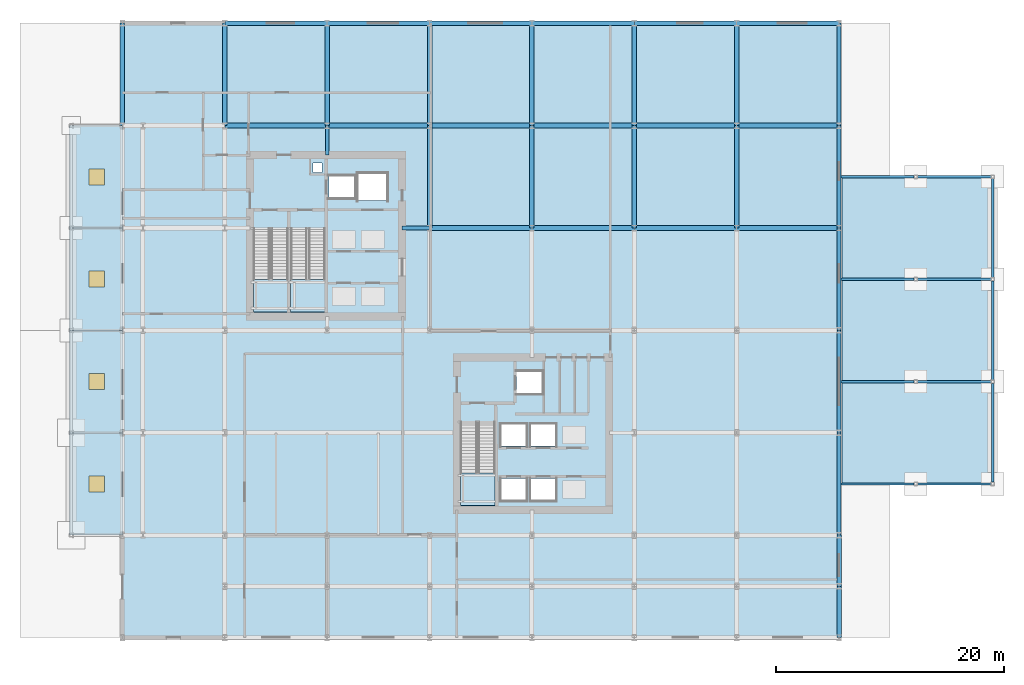
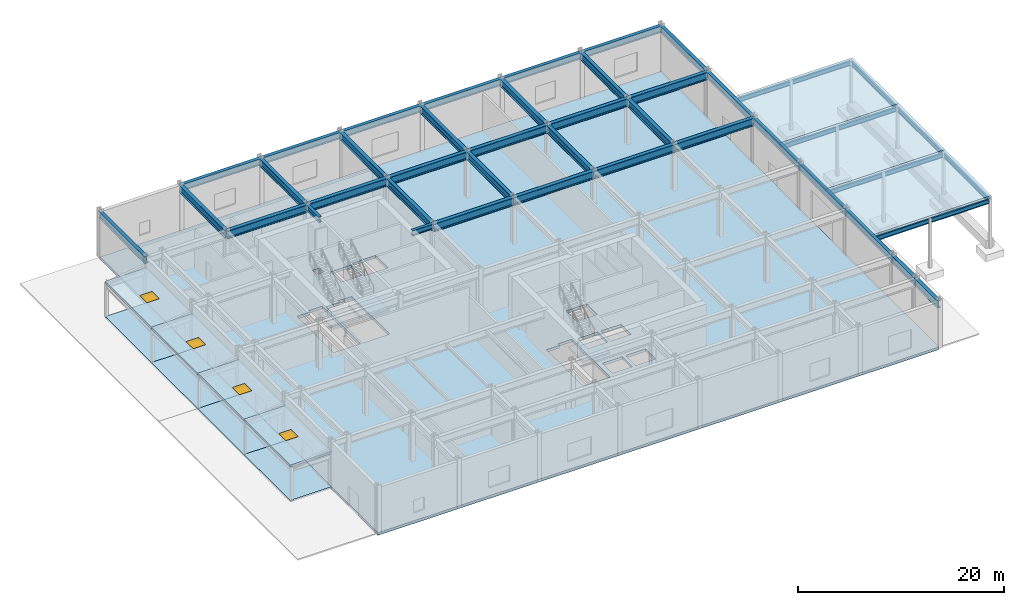
# One storey, part 8 of 19: 47 beams, 15 slabs, 4 windows, 4 openings, 3 elements without a shape of their own.
"""IFC4 building model written with IfcOpenShell, lengths in metres."""

from ifc_helpers import new_model, si_unit, direction, frame, origin, origin_2d, place, context, subcontext, project, spatial, polyline, rectangle, i_section, outline, extrude, material, layer, layer_set, material_profile, profile_set, type_object, element, fill, aggregate, save


model = new_model("IFC4")

# Units and contexts
model_context = context("Model", 3, precision=1e-05, world=origin(), true_north=direction((0.0, 1.0)))
body_context = subcontext(model_context, "Body", "Model", "MODEL_VIEW")
ifc_project = project(units=[si_unit("LENGTHUNIT", "METRE"), si_unit("AREAUNIT", "SQUARE_METRE"), si_unit("VOLUMEUNIT", "CUBIC_METRE"), si_unit("PLANEANGLEUNIT", "RADIAN"), si_unit("MASSUNIT", "GRAM", prefix="KILO")], contexts=[model_context])

# Site, building, storey
site_placement = place(None, origin())
site = spatial("IfcSite", under=ifc_project, at=site_placement, CompositionType="ELEMENT")
building_placement = place(site_placement, origin())
building = spatial("IfcBuilding", under=site, at=building_placement, Name="Solvaryn Broadcast Tower", CompositionType="ELEMENT")
storey_placement = place(building_placement, origin())
storey = spatial("IfcBuildingStorey", under=building, at=storey_placement, Name="L00", CompositionType="ELEMENT", Elevation=0.0)

# Beams
ifc_material_1 = material(Name="Steel ASTM A992 Grade 50", Category="steel")
ifc_material_profile_1 = material_profile(ifc_material_1, i_section(OverallWidth=0.323974609375, OverallDepth=0.611083984375, WebThickness=0.0126953125, FlangeThickness=0.01904296875, FilletRadius=0.014892578125, at=origin_2d()))
ifc_profile_set_1 = profile_set([ifc_material_profile_1], Name="Steel ASTM A992 Grade 50")
beam_type_1 = type_object("IfcBeamType", Name="BM-B1-W24X104", PredefinedType="BEAM", material=ifc_profile_set_1)
beam_1_placement = place(storey_placement, frame((24.60009765625, 36.0, 5.174560546875), z_axis=(1.0, 0.0, 0.0), x_axis=(0.0, 1.0, 0.0)))
element("IfcBeam", 1, at=beam_1_placement, inside=storey, type_object=beam_type_1, Name="L00 Core Tie Beam CTW2", PredefinedType="BEAM", context=body_context, shape_type="SweptSolid", body=[
    extrude(i_section(OverallWidth=0.323974609375, OverallDepth=0.611083984375, WebThickness=0.0126953125, FlangeThickness=0.01904296875, FilletRadius=0.014892578125, at=origin_2d()), origin(), (0.0, 0.0, 1.0), 2.39990234375),
])
beam_2_placement = place(storey_placement, frame((18.0, 42.39990234375, 5.174560546875), z_axis=(0.0, 1.0, 0.0), x_axis=(-1.0, 0.0, 0.0)))
element("IfcBeam", 2, at=beam_2_placement, inside=storey, type_object=beam_type_1, Name="L00 Core Tie Beam CTW3", PredefinedType="BEAM", context=body_context, shape_type="SweptSolid", body=[
    extrude(i_section(OverallWidth=0.323974609375, OverallDepth=0.611083984375, WebThickness=0.0126953125, FlangeThickness=0.01904296875, FilletRadius=0.014892578125, at=origin_2d()), origin(), (0.0, 0.0, 1.0), 2.60009765625),
])
ifc_material_2 = material(Name="Steel ASTM A992 Grade 50", Category="steel")
ifc_material_profile_2 = material_profile(ifc_material_2, i_section(OverallWidth=0.208984375, OverallDepth=0.532958984375, WebThickness=0.01025390625, FlangeThickness=0.015625, FilletRadius=0.013916015625, at=origin_2d()))
ifc_profile_set_2 = profile_set([ifc_material_profile_2], Name="Steel ASTM A992 Grade 50")
beam_type_2 = type_object("IfcBeamType", Name="BM-B3-W21X62", PredefinedType="BEAM", material=ifc_profile_set_2)
beam_3_placement = place(storey_placement, frame((63.179931640625, 13.5, 4.46337890625), z_axis=(1.0, 0.0, 0.0), x_axis=(0.0, 1.0, 0.0)))
element("IfcBeam", 3, at=beam_3_placement, inside=storey, type_object=beam_type_2, Name="L00 East OB Canopy Inner Beam 1", PredefinedType="BEAM", context=body_context, shape_type="SweptSolid", body=[
    extrude(i_section(OverallWidth=0.208984375, OverallDepth=0.532958984375, WebThickness=0.01025390625, FlangeThickness=0.015625, FilletRadius=0.013916015625, at=origin_2d()), origin(), (0.0, 0.0, 1.0), 6.420166015625),
])
beam_4_placement = place(storey_placement, frame((69.89990234375, 13.5, 4.46337890625), z_axis=(1.0, 0.0, 0.0), x_axis=(0.0, 1.0, 0.0)))
element("IfcBeam", 4, at=beam_4_placement, inside=storey, type_object=beam_type_2, Name="L00 East OB Canopy Outer Beam 1", PredefinedType="BEAM", context=body_context, shape_type="SweptSolid", body=[
    extrude(i_section(OverallWidth=0.208984375, OverallDepth=0.532958984375, WebThickness=0.01025390625, FlangeThickness=0.015625, FilletRadius=0.013916015625, at=origin_2d()), origin(), (0.0, 0.0, 1.0), 6.4501953125),
])
beam_5_placement = place(storey_placement, frame((63.179931640625, 22.5, 4.46337890625), z_axis=(1.0, 0.0, 0.0), x_axis=(0.0, 1.0, 0.0)))
element("IfcBeam", 5, at=beam_5_placement, inside=storey, type_object=beam_type_2, Name="L00 East OB Canopy Inner Beam 2", PredefinedType="BEAM", context=body_context, shape_type="SweptSolid", body=[
    extrude(i_section(OverallWidth=0.208984375, OverallDepth=0.532958984375, WebThickness=0.01025390625, FlangeThickness=0.015625, FilletRadius=0.013916015625, at=origin_2d()), origin(), (0.0, 0.0, 1.0), 6.420166015625),
])
beam_6_placement = place(storey_placement, frame((69.89990234375, 22.5, 4.46337890625), z_axis=(1.0, 0.0, 0.0), x_axis=(0.0, 1.0, 0.0)))
element("IfcBeam", 6, at=beam_6_placement, inside=storey, type_object=beam_type_2, Name="L00 East OB Canopy Outer Beam 2", PredefinedType="BEAM", context=body_context, shape_type="SweptSolid", body=[
    extrude(i_section(OverallWidth=0.208984375, OverallDepth=0.532958984375, WebThickness=0.01025390625, FlangeThickness=0.015625, FilletRadius=0.013916015625, at=origin_2d()), origin(), (0.0, 0.0, 1.0), 6.4501953125),
])
beam_7_placement = place(storey_placement, frame((63.179931640625, 31.5, 4.46337890625), z_axis=(1.0, 0.0, 0.0), x_axis=(0.0, 1.0, 0.0)))
element("IfcBeam", 7, at=beam_7_placement, inside=storey, type_object=beam_type_2, Name="L00 East OB Canopy Inner Beam 3", PredefinedType="BEAM", context=body_context, shape_type="SweptSolid", body=[
    extrude(i_section(OverallWidth=0.208984375, OverallDepth=0.532958984375, WebThickness=0.01025390625, FlangeThickness=0.015625, FilletRadius=0.013916015625, at=origin_2d()), origin(), (0.0, 0.0, 1.0), 6.420166015625),
])
beam_8_placement = place(storey_placement, frame((69.89990234375, 31.5, 4.46337890625), z_axis=(1.0, 0.0, 0.0), x_axis=(0.0, 1.0, 0.0)))
element("IfcBeam", 8, at=beam_8_placement, inside=storey, type_object=beam_type_2, Name="L00 East OB Canopy Outer Beam 3", PredefinedType="BEAM", context=body_context, shape_type="SweptSolid", body=[
    extrude(i_section(OverallWidth=0.208984375, OverallDepth=0.532958984375, WebThickness=0.01025390625, FlangeThickness=0.015625, FilletRadius=0.013916015625, at=origin_2d()), origin(), (0.0, 0.0, 1.0), 6.4501953125),
])
beam_9_placement = place(storey_placement, frame((63.179931640625, 40.5, 4.46337890625), z_axis=(1.0, 0.0, 0.0), x_axis=(0.0, 1.0, 0.0)))
element("IfcBeam", 9, at=beam_9_placement, inside=storey, type_object=beam_type_2, Name="L00 East OB Canopy Inner Beam 4", PredefinedType="BEAM", context=body_context, shape_type="SweptSolid", body=[
    extrude(i_section(OverallWidth=0.208984375, OverallDepth=0.532958984375, WebThickness=0.01025390625, FlangeThickness=0.015625, FilletRadius=0.013916015625, at=origin_2d()), origin(), (0.0, 0.0, 1.0), 6.420166015625),
])
beam_10_placement = place(storey_placement, frame((69.89990234375, 40.5, 4.46337890625), z_axis=(1.0, 0.0, 0.0), x_axis=(0.0, 1.0, 0.0)))
element("IfcBeam", 10, at=beam_10_placement, inside=storey, type_object=beam_type_2, Name="L00 East OB Canopy Outer Beam 4", PredefinedType="BEAM", context=body_context, shape_type="SweptSolid", body=[
    extrude(i_section(OverallWidth=0.208984375, OverallDepth=0.532958984375, WebThickness=0.01025390625, FlangeThickness=0.015625, FilletRadius=0.013916015625, at=origin_2d()), origin(), (0.0, 0.0, 1.0), 6.4501953125),
])
for number, where, z_axis, x_axis, name in (
    (11, (76.5, 13.64990234375, 4.46337890625), (0.0, 1.0, 0.0), (-1.0, 0.0, 0.0), "L00 East OB Canopy Edge Beam 1"),
    (12, (76.5, 22.64990234375, 4.46337890625), (0.0, 1.0, 0.0), (-1.0, 0.0, 0.0), "L00 East OB Canopy Edge Beam 2"),
    (13, (76.5, 31.64990234375, 4.46337890625), (0.0, 1.0, 0.0), (-1.0, 0.0, 0.0), "L00 East OB Canopy Edge Beam 3"),
):
    element("IfcBeam", number, at=place(storey_placement, frame(where, z_axis=z_axis, x_axis=x_axis)), inside=storey, type_object=beam_type_2, Name=name, PredefinedType="BEAM", context=body_context, shape_type="SweptSolid", body=[
        extrude(i_section(OverallWidth=0.208984375, OverallDepth=0.532958984375, WebThickness=0.01025390625, FlangeThickness=0.015625, FilletRadius=0.013916015625, at=origin_2d()), origin(), (0.0, 0.0, 1.0), 8.7001953125),
    ])
ifc_material_3 = material(Name="Steel ASTM A992 Grade 50", Category="steel")
ifc_material_profile_3 = material_profile(ifc_material_3, i_section(OverallWidth=0.41796875, OverallDepth=0.927001953125, WebThickness=0.019287109375, FlangeThickness=0.031982421875, FilletRadius=0.02392578125, at=origin_2d()))
ifc_profile_set_3 = profile_set([ifc_material_profile_3], Name="Steel ASTM A992 Grade 50")
beam_type_3 = type_object("IfcBeamType", Name="BM-G2-W36X231", PredefinedType="BEAM", material=ifc_profile_set_3)
for number, where, z_axis, x_axis, name in (
    (14, (27.0, 36.0, 5.0166015625), (1.0, 0.0, 0.0), (0.0, 1.0, 0.0), "L00 Primary Beam X (27-36 @ Y=36)"),
    (15, (36.0, 36.0, 5.0166015625), (1.0, 0.0, 0.0), (0.0, 1.0, 0.0), "L00 Primary Beam X (36-45 @ Y=36)"),
    (16, (45.0, 36.0, 5.0166015625), (1.0, 0.0, 0.0), (0.0, 1.0, 0.0), "L00 Primary Beam X (45-54 @ Y=36)"),
    (17, (54.0, 36.0, 5.0166015625), (1.0, 0.0, 0.0), (0.0, 1.0, 0.0), "L00 Primary Beam X (54-63 @ Y=36)"),
    (18, (9.0, 45.0, 5.0166015625), (1.0, 0.0, 0.0), (0.0, 1.0, 0.0), "L00 Primary Beam X (9-18 @ Y=45)"),
    (19, (18.0, 45.0, 5.0166015625), (1.0, 0.0, 0.0), (0.0, 1.0, 0.0), "L00 Primary Beam X (18-27 @ Y=45)"),
    (20, (27.0, 45.0, 5.0166015625), (1.0, 0.0, 0.0), (0.0, 1.0, 0.0), "L00 Primary Beam X (27-36 @ Y=45)"),
    (21, (36.0, 45.0, 5.0166015625), (1.0, 0.0, 0.0), (0.0, 1.0, 0.0), "L00 Primary Beam X (36-45 @ Y=45)"),
    (22, (45.0, 45.0, 5.0166015625), (1.0, 0.0, 0.0), (0.0, 1.0, 0.0), "L00 Primary Beam X (45-54 @ Y=45)"),
    (23, (54.0, 45.0, 5.0166015625), (1.0, 0.0, 0.0), (0.0, 1.0, 0.0), "L00 Primary Beam X (54-63 @ Y=45)"),
):
    element("IfcBeam", number, at=place(storey_placement, frame(where, z_axis=z_axis, x_axis=x_axis)), inside=storey, type_object=beam_type_3, Name=name, PredefinedType="BEAM", context=body_context, shape_type="SweptSolid", body=[
        extrude(i_section(OverallWidth=0.41796875, OverallDepth=0.927001953125, WebThickness=0.019287109375, FlangeThickness=0.031982421875, FilletRadius=0.02392578125, at=origin_2d()), origin(), (0.0, 0.0, 1.0), 9.0),
    ])
ifc_material_4 = material(Name="Steel ASTM A992 Grade 50", Category="steel")
ifc_material_profile_4 = material_profile(ifc_material_4, i_section(OverallWidth=0.39990234375, OverallDepth=0.85498046875, WebThickness=0.018310546875, FlangeThickness=0.029296875, FilletRadius=0.02001953125, at=origin_2d()))
ifc_profile_set_4 = profile_set([ifc_material_profile_4], Name="Steel ASTM A992 Grade 50")
beam_type_4 = type_object("IfcBeamType", Name="BM-G3-W33X201", PredefinedType="BEAM", material=ifc_profile_set_4)
for number, where, z_axis, x_axis, name in (
    (24, (9.0, 45.0, 5.052490234375), (0.0, 1.0, 0.0), (-1.0, 0.0, 0.0), "L00 Primary Beam Y (45-54 @ X=9)"),
    (25, (18.0, 45.0, 5.052490234375), (0.0, 1.0, 0.0), (-1.0, 0.0, 0.0), "L00 Primary Beam Y (45-54 @ X=18)"),
    (26, (27.0, 36.0, 5.052490234375), (0.0, 1.0, 0.0), (-1.0, 0.0, 0.0), "L00 Primary Beam Y (36-45 @ X=27)"),
    (27, (27.0, 45.0, 5.052490234375), (0.0, 1.0, 0.0), (-1.0, 0.0, 0.0), "L00 Primary Beam Y (45-54 @ X=27)"),
    (28, (36.0, 36.0, 5.052490234375), (0.0, 1.0, 0.0), (-1.0, 0.0, 0.0), "L00 Primary Beam Y (36-45 @ X=36)"),
    (29, (36.0, 45.0, 5.052490234375), (0.0, 1.0, 0.0), (-1.0, 0.0, 0.0), "L00 Primary Beam Y (45-54 @ X=36)"),
    (30, (45.0, 36.0, 5.052490234375), (0.0, 1.0, 0.0), (-1.0, 0.0, 0.0), "L00 Primary Beam Y (36-45 @ X=45)"),
    (31, (45.0, 45.0, 5.052490234375), (0.0, 1.0, 0.0), (-1.0, 0.0, 0.0), "L00 Primary Beam Y (45-54 @ X=45)"),
    (32, (54.0, 36.0, 5.052490234375), (0.0, 1.0, 0.0), (-1.0, 0.0, 0.0), "L00 Primary Beam Y (36-45 @ X=54)"),
    (33, (54.0, 45.0, 5.052490234375), (0.0, 1.0, 0.0), (-1.0, 0.0, 0.0), "L00 Primary Beam Y (45-54 @ X=54)"),
):
    element("IfcBeam", number, at=place(storey_placement, frame(where, z_axis=z_axis, x_axis=x_axis)), inside=storey, type_object=beam_type_4, Name=name, PredefinedType="BEAM", context=body_context, shape_type="SweptSolid", body=[
        extrude(i_section(OverallWidth=0.39990234375, OverallDepth=0.85498046875, WebThickness=0.018310546875, FlangeThickness=0.029296875, FilletRadius=0.02001953125, at=origin_2d()), origin(), (0.0, 0.0, 1.0), 9.0),
    ])
for number, where, z_axis, x_axis, name in (
    (34, (63.0, 0.0, 5.052490234375), (0.0, 1.0, 0.0), (-1.0, 0.0, 0.0), "L00 Primary Beam Y (0-4 @ X=63)"),
    (35, (63.0, 4.5, 5.052490234375), (0.0, 1.0, 0.0), (-1.0, 0.0, 0.0), "L00 Primary Beam Y (4-9 @ X=63)"),
):
    element("IfcBeam", number, at=place(storey_placement, frame(where, z_axis=z_axis, x_axis=x_axis)), inside=storey, type_object=beam_type_4, Name=name, PredefinedType="BEAM", context=body_context, shape_type="SweptSolid", body=[
        extrude(i_section(OverallWidth=0.39990234375, OverallDepth=0.85498046875, WebThickness=0.018310546875, FlangeThickness=0.029296875, FilletRadius=0.02001953125, at=origin_2d()), origin(), (0.0, 0.0, 1.0), 4.5),
    ])
ifc_material_5 = material(Name="Steel ASTM A992 Grade 50", Category="steel")
ifc_material_profile_5 = material_profile(ifc_material_5, i_section(OverallWidth=0.381103515625, OverallDepth=0.77294921875, WebThickness=0.0166015625, FlangeThickness=0.027099609375, FilletRadius=0.01806640625, at=origin_2d()))
ifc_profile_set_5 = profile_set([ifc_material_profile_5], Name="Steel ASTM A992 Grade 50")
beam_type_5 = type_object("IfcBeamType", Name="BM-SP1-W30X173", PredefinedType="USERDEFINED", material=ifc_profile_set_5)
for number, where, z_axis, x_axis, name in (
    (36, (9.0, 54.0, 5.093505859375), (1.0, 0.0, 0.0), (0.0, 1.0, 0.0), "L00 Spandrel Beam X (9-18 @ Y=54)"),
    (37, (18.0, 54.0, 5.093505859375), (1.0, 0.0, 0.0), (0.0, 1.0, 0.0), "L00 Spandrel Beam X (18-27 @ Y=54)"),
    (38, (27.0, 54.0, 5.093505859375), (1.0, 0.0, 0.0), (0.0, 1.0, 0.0), "L00 Spandrel Beam X (27-36 @ Y=54)"),
    (39, (36.0, 54.0, 5.093505859375), (1.0, 0.0, 0.0), (0.0, 1.0, 0.0), "L00 Spandrel Beam X (36-45 @ Y=54)"),
    (40, (45.0, 54.0, 5.093505859375), (1.0, 0.0, 0.0), (0.0, 1.0, 0.0), "L00 Spandrel Beam X (45-54 @ Y=54)"),
    (41, (54.0, 54.0, 5.093505859375), (1.0, 0.0, 0.0), (0.0, 1.0, 0.0), "L00 Spandrel Beam X (54-63 @ Y=54)"),
    (42, (0.0, 45.0, 5.093505859375), (0.0, 1.0, 0.0), (-1.0, 0.0, 0.0), "L00 Spandrel Beam Y (45-54 @ X=0)"),
    (43, (63.0, 9.0, 5.093505859375), (0.0, 1.0, 0.0), (-1.0, 0.0, 0.0), "L00 Spandrel Beam Y (9-18 @ X=63)"),
    (44, (63.0, 18.0, 5.093505859375), (0.0, 1.0, 0.0), (-1.0, 0.0, 0.0), "L00 Spandrel Beam Y (18-27 @ X=63)"),
    (45, (63.0, 27.0, 5.093505859375), (0.0, 1.0, 0.0), (-1.0, 0.0, 0.0), "L00 Spandrel Beam Y (27-36 @ X=63)"),
    (46, (63.0, 36.0, 5.093505859375), (0.0, 1.0, 0.0), (-1.0, 0.0, 0.0), "L00 Spandrel Beam Y (36-45 @ X=63)"),
    (47, (63.0, 45.0, 5.093505859375), (0.0, 1.0, 0.0), (-1.0, 0.0, 0.0), "L00 Spandrel Beam Y (45-54 @ X=63)"),
):
    element("IfcBeam", number, at=place(storey_placement, frame(where, z_axis=z_axis, x_axis=x_axis)), inside=storey, type_object=beam_type_5, Name=name, ObjectType="SPANDREL", PredefinedType="USERDEFINED", context=body_context, shape_type="SweptSolid", body=[
        extrude(i_section(OverallWidth=0.381103515625, OverallDepth=0.77294921875, WebThickness=0.0166015625, FlangeThickness=0.027099609375, FilletRadius=0.01806640625, at=origin_2d()), origin(), (0.0, 0.0, 1.0), 9.0),
    ])

# Stair, slab
ifc_material_6 = material(Name="Concrete f'c 60 MPa", Category="concrete")
stair_type = type_object("IfcStairType", Name="ST-CORE", PredefinedType="HALF_TURN_STAIR", material=ifc_material_6)
stair_1_placement = place(storey_placement, origin())
stair_1 = element("IfcStair", 48, at=stair_1_placement, inside=storey, type_object=stair_type, Name="L00 ST1", PredefinedType="HALF_TURN_STAIR")
ifc_material_7 = material(Name="Concrete f'c 60 MPa", Category="concrete")
ifc_layer_1 = layer(ifc_material_7, 0.199951171875)
ifc_layer_set_1 = layer_set([ifc_layer_1], Name="SL-LANDING-200")
slab_type_1 = type_object("IfcSlabType", Name="SL-LANDING-200", PredefinedType="LANDING", material=ifc_layer_set_1)
slab_1_placement = place(storey_placement, frame((0.0, 0.0, 2.699951171875)))
slab_1 = element("IfcSlab", 49, at=slab_1_placement, type_object=slab_type_1, Name="ST1 landing 1", PredefinedType="LANDING", context=body_context, shape_type="SweptSolid", body=[
    extrude(outline(polyline([(11.52001953125, 31.47998046875), (11.52001953125, 28.60009765625), (14.550048828125, 28.60009765625), (14.550048828125, 31.47998046875), (11.52001953125, 31.47998046875)])), origin(), (0.0, 0.0, 1.0), 0.199951171875),
])
aggregate(stair_1, [slab_1])

stair_2_placement = place(storey_placement, origin())
stair_2 = element("IfcStair", 50, at=stair_2_placement, inside=storey, type_object=stair_type, Name="L00 ST2", PredefinedType="HALF_TURN_STAIR")
slab_2_placement = place(storey_placement, frame((0.0, 0.0, 2.699951171875)))
slab_2 = element("IfcSlab", 51, at=slab_2_placement, type_object=slab_type_1, Name="ST2 landing 1", PredefinedType="LANDING", context=body_context, shape_type="SweptSolid", body=[
    extrude(outline(polyline([(14.800048828125, 31.47998046875), (14.800048828125, 28.60009765625), (17.830078125, 28.60009765625), (17.830078125, 31.47998046875), (14.800048828125, 31.47998046875)])), origin(), (0.0, 0.0, 1.0), 0.199951171875),
])
aggregate(stair_2, [slab_2])

stair_3_placement = place(storey_placement, origin())
stair_3 = element("IfcStair", 52, at=stair_3_placement, inside=storey, type_object=stair_type, Name="L00 ST3", PredefinedType="HALF_TURN_STAIR")
slab_3_placement = place(storey_placement, frame((0.0, 0.0, 2.699951171875)))
slab_3 = element("IfcSlab", 53, at=slab_3_placement, type_object=slab_type_1, Name="ST3 landing 1", PredefinedType="LANDING", context=body_context, shape_type="SweptSolid", body=[
    extrude(outline(polyline([(29.719970703125, 14.47998046875), (29.719970703125, 11.60009765625), (32.75, 11.60009765625), (32.75, 14.47998046875), (29.719970703125, 14.47998046875)])), origin(), (0.0, 0.0, 1.0), 0.199951171875),
])
aggregate(stair_3, [slab_3])

# Slabs
ifc_material_8 = material(Name="Concrete f'c 50 MPa", Category="concrete")
ifc_layer_2 = layer(ifc_material_8, 0.199951171875)
ifc_layer_set_2 = layer_set([ifc_layer_2], Name="SL-PLAZA-200")
slab_type_2 = type_object("IfcSlabType", Name="SL-PLAZA-200", PredefinedType="USERDEFINED", material=ifc_layer_set_2)
slab_4_placement = place(storey_placement, frame((0.0, 0.0, -0.199951171875)))
element("IfcSlab", 54, at=slab_4_placement, inside=storey, type_object=slab_type_2, Name="West Arcade Structural Paving Slab 1", ObjectType="PAVING", PredefinedType="USERDEFINED", context=body_context, shape_type="SweptSolid", body=[
    extrude(outline(polyline([(-4.64990234375, 9.0), (0.0, 9.0), (0.0, 18.0), (-4.64990234375, 18.0), (-4.64990234375, 9.0)])), origin(), (0.0, 0.0, 1.0), 0.199951171875),
])
slab_5_placement = place(storey_placement, frame((0.0, 0.0, -0.199951171875)))
element("IfcSlab", 55, at=slab_5_placement, inside=storey, type_object=slab_type_2, Name="West Arcade Structural Paving Slab 2", ObjectType="PAVING", PredefinedType="USERDEFINED", context=body_context, shape_type="SweptSolid", body=[
    extrude(outline(polyline([(-4.64990234375, 18.0), (0.0, 18.0), (0.0, 27.0), (-4.64990234375, 27.0), (-4.64990234375, 18.0)])), origin(), (0.0, 0.0, 1.0), 0.199951171875),
])
ifc_material_9 = material(Name="Concrete f'c 60 MPa", Category="concrete")
ifc_layer_3 = layer(ifc_material_9, 0.320068359375)
ifc_layer_set_3 = layer_set([ifc_layer_3], Name="SL-POD-320")
slab_type_3 = type_object("IfcSlabType", Name="SL-POD-320", PredefinedType="FLOOR", material=ifc_layer_set_3)
slab_6_placement = place(storey_placement, frame((0.0, 0.0, -0.320068359375)))
element("IfcSlab", 56, at=slab_6_placement, inside=storey, type_object=slab_type_3, Name="L00 Structural Floor Slab", PredefinedType="FLOOR", context=body_context, shape_type="SweptSolid", body=[
    extrude(outline(polyline([(0.0, 0.0), (63.0, 0.0), (63.0, 54.0), (0.0, 54.0), (0.0, 0.0)]), holes=[polyline([(11.52001953125, 28.60009765625), (14.550048828125, 28.60009765625), (14.550048828125, 35.9599609375), (12.97998046875, 35.9599609375), (12.97998046875, 35.679931640625), (11.52001953125, 35.679931640625), (11.52001953125, 28.60009765625)]), polyline([(14.800048828125, 28.60009765625), (17.830078125, 28.60009765625), (17.830078125, 35.9599609375), (16.260009765625, 35.9599609375), (16.260009765625, 35.679931640625), (14.800048828125, 35.679931640625), (14.800048828125, 28.60009765625)]), polyline([(29.719970703125, 11.60009765625), (32.75, 11.60009765625), (32.75, 18.9599609375), (31.179931640625, 18.9599609375), (31.179931640625, 18.679931640625), (29.719970703125, 18.679931640625), (29.719970703125, 11.60009765625)]), polyline([(18.14990234375, 38.60009765625), (20.449951171875, 38.60009765625), (20.449951171875, 40.60009765625), (18.14990234375, 40.60009765625), (18.14990234375, 38.60009765625)]), polyline([(20.699951171875, 38.39990234375), (23.300048828125, 38.39990234375), (23.300048828125, 40.800048828125), (20.699951171875, 40.800048828125), (20.699951171875, 38.39990234375)]), polyline([(34.64990234375, 21.39990234375), (36.949951171875, 21.39990234375), (36.949951171875, 23.39990234375), (34.64990234375, 23.39990234375), (34.64990234375, 21.39990234375)]), polyline([(33.27490234375, 12.02490234375), (35.52490234375, 12.02490234375), (35.52490234375, 13.97509765625), (33.27490234375, 13.97509765625), (33.27490234375, 12.02490234375)]), polyline([(35.875, 12.02490234375), (38.125, 12.02490234375), (38.125, 13.97509765625), (35.875, 13.97509765625), (35.875, 12.02490234375)]), polyline([(33.27490234375, 16.824951171875), (35.52490234375, 16.824951171875), (35.52490234375, 18.77490234375), (33.27490234375, 18.77490234375), (33.27490234375, 16.824951171875)]), polyline([(35.875, 16.824951171875), (38.125, 16.824951171875), (38.125, 18.77490234375), (35.875, 18.77490234375), (35.875, 16.824951171875)]), polyline([(16.75, 40.89990234375), (17.550048828125, 40.89990234375), (17.550048828125, 41.699951171875), (16.75, 41.699951171875), (16.75, 40.89990234375)])]), origin(), (0.0, 0.0, 1.0), 0.320068359375),
])

# Slab, opening, window
ifc_material_10 = material(Name="Concrete f'c 60 MPa", Category="concrete")
ifc_layer_4 = layer(ifc_material_10, 0.27001953125)
ifc_layer_set_4 = layer_set([ifc_layer_4], Name="SL-ROOF-270")
slab_type_4 = type_object("IfcSlabType", Name="SL-ROOF-270", PredefinedType="ROOF", material=ifc_layer_set_4)
slab_7_placement = place(storey_placement, frame((0.0, 0.0, 3.929931640625)))
slab_7 = element("IfcSlab", 57, at=slab_7_placement, inside=storey, type_object=slab_type_4, Name="L00 West Entrance Canopy Roof 1", PredefinedType="ROOF", context=body_context, shape_type="SweptSolid", body=[
    extrude(outline(polyline([(-4.64990234375, 9.0), (0.0, 9.0), (0.0, 18.0), (-4.64990234375, 18.0), (-4.64990234375, 9.0)])), origin(), (0.0, 0.0, 1.0), 0.27001953125),
])
opening_1_placement = place(slab_7_placement, frame((-2.25, 13.5, 0.0)))
opening_1 = element("IfcOpeningElement", 58, at=opening_1_placement, cuts=slab_7, Name="Opening SK01", PredefinedType="OPENING", context=body_context, shape_type="SweptSolid", body=[
    extrude(rectangle(XDim=1.39990234375, YDim=1.39990234375, at=origin_2d()), origin(), (0.0, 0.0, 1.0), 0.27001953125),
])
ifc_material_11 = material(Name="Thermally Broken Aluminium Acoustic Glazing", Category="aluminium")
window_type = type_object("IfcWindowType", Name="SK-01-1400X1400", PartitioningType="SINGLE_PANEL", PredefinedType="SKYLIGHT", material=ifc_material_11)
window_1_placement = place(opening_1_placement, frame((0.0, 0.0, 0.219970703125)))
window_1 = element("IfcWindow", 59, at=window_1_placement, inside=storey, type_object=window_type, Name="L00 Canopy Skylight 1", OverallHeight=1.39990234375, OverallWidth=1.39990234375, PartitioningType="SINGLE_PANEL", PredefinedType="SKYLIGHT", context=body_context, shape_type="SweptSolid", body=[
    extrude(rectangle(XDim=1.39990234375, YDim=1.39990234375, at=origin_2d()), origin(), (0.0, 0.0, 1.0), 0.050048828125),
])
fill(opening_1, window_1)

slab_8_placement = place(storey_placement, frame((0.0, 0.0, 3.929931640625)))
slab_8 = element("IfcSlab", 60, at=slab_8_placement, inside=storey, type_object=slab_type_4, Name="L00 West Entrance Canopy Roof 2", PredefinedType="ROOF", context=body_context, shape_type="SweptSolid", body=[
    extrude(outline(polyline([(-4.64990234375, 18.0), (0.0, 18.0), (0.0, 27.0), (-4.64990234375, 27.0), (-4.64990234375, 18.0)])), origin(), (0.0, 0.0, 1.0), 0.27001953125),
])
opening_2_placement = place(slab_8_placement, frame((-2.25, 22.5, 0.0)))
opening_2 = element("IfcOpeningElement", 61, at=opening_2_placement, cuts=slab_8, Name="Opening SK01", PredefinedType="OPENING", context=body_context, shape_type="SweptSolid", body=[
    extrude(rectangle(XDim=1.39990234375, YDim=1.39990234375, at=origin_2d()), origin(), (0.0, 0.0, 1.0), 0.27001953125),
])
window_2_placement = place(opening_2_placement, frame((0.0, 0.0, 0.219970703125)))
window_2 = element("IfcWindow", 62, at=window_2_placement, inside=storey, type_object=window_type, Name="L00 Canopy Skylight 2", OverallHeight=1.39990234375, OverallWidth=1.39990234375, PartitioningType="SINGLE_PANEL", PredefinedType="SKYLIGHT", context=body_context, shape_type="SweptSolid", body=[
    extrude(rectangle(XDim=1.39990234375, YDim=1.39990234375, at=origin_2d()), origin(), (0.0, 0.0, 1.0), 0.050048828125),
])
fill(opening_2, window_2)

slab_9_placement = place(storey_placement, frame((0.0, 0.0, 3.929931640625)))
slab_9 = element("IfcSlab", 63, at=slab_9_placement, inside=storey, type_object=slab_type_4, Name="L00 West Entrance Canopy Roof 3", PredefinedType="ROOF", context=body_context, shape_type="SweptSolid", body=[
    extrude(outline(polyline([(-4.64990234375, 27.0), (0.0, 27.0), (0.0, 36.0), (-4.64990234375, 36.0), (-4.64990234375, 27.0)])), origin(), (0.0, 0.0, 1.0), 0.27001953125),
])
opening_3_placement = place(slab_9_placement, frame((-2.25, 31.5, 0.0)))
opening_3 = element("IfcOpeningElement", 64, at=opening_3_placement, cuts=slab_9, Name="Opening SK01", PredefinedType="OPENING", context=body_context, shape_type="SweptSolid", body=[
    extrude(rectangle(XDim=1.39990234375, YDim=1.39990234375, at=origin_2d()), origin(), (0.0, 0.0, 1.0), 0.27001953125),
])
window_3_placement = place(opening_3_placement, frame((0.0, 0.0, 0.219970703125)))
window_3 = element("IfcWindow", 65, at=window_3_placement, inside=storey, type_object=window_type, Name="L00 Canopy Skylight 3", OverallHeight=1.39990234375, OverallWidth=1.39990234375, PartitioningType="SINGLE_PANEL", PredefinedType="SKYLIGHT", context=body_context, shape_type="SweptSolid", body=[
    extrude(rectangle(XDim=1.39990234375, YDim=1.39990234375, at=origin_2d()), origin(), (0.0, 0.0, 1.0), 0.050048828125),
])
fill(opening_3, window_3)

slab_10_placement = place(storey_placement, frame((0.0, 0.0, 3.929931640625)))
slab_10 = element("IfcSlab", 66, at=slab_10_placement, inside=storey, type_object=slab_type_4, Name="L00 West Entrance Canopy Roof 4", PredefinedType="ROOF", context=body_context, shape_type="SweptSolid", body=[
    extrude(outline(polyline([(-4.64990234375, 36.0), (0.0, 36.0), (0.0, 45.0), (-4.64990234375, 45.0), (-4.64990234375, 36.0)])), origin(), (0.0, 0.0, 1.0), 0.27001953125),
])
opening_4_placement = place(slab_10_placement, frame((-2.25, 40.5, 0.0)))
opening_4 = element("IfcOpeningElement", 67, at=opening_4_placement, cuts=slab_10, Name="Opening SK01", PredefinedType="OPENING", context=body_context, shape_type="SweptSolid", body=[
    extrude(rectangle(XDim=1.39990234375, YDim=1.39990234375, at=origin_2d()), origin(), (0.0, 0.0, 1.0), 0.27001953125),
])
window_4_placement = place(opening_4_placement, frame((0.0, 0.0, 0.219970703125)))
window_4 = element("IfcWindow", 68, at=window_4_placement, inside=storey, type_object=window_type, Name="L00 Canopy Skylight 4", OverallHeight=1.39990234375, OverallWidth=1.39990234375, PartitioningType="SINGLE_PANEL", PredefinedType="SKYLIGHT", context=body_context, shape_type="SweptSolid", body=[
    extrude(rectangle(XDim=1.39990234375, YDim=1.39990234375, at=origin_2d()), origin(), (0.0, 0.0, 1.0), 0.050048828125),
])
fill(opening_4, window_4)

# Slabs
slab_11_placement = place(storey_placement, frame((0.0, 0.0, 4.72998046875)))
element("IfcSlab", 69, at=slab_11_placement, inside=storey, type_object=slab_type_4, Name="L00 East OB-Truck Canopy Roof 1", PredefinedType="ROOF", context=body_context, shape_type="SweptSolid", body=[
    extrude(outline(polyline([(63.25, 13.5), (76.64990234375, 13.5), (76.64990234375, 22.5), (63.25, 22.5), (63.25, 13.5)])), origin(), (0.0, 0.0, 1.0), 0.27001953125),
])
slab_12_placement = place(storey_placement, frame((0.0, 0.0, 4.72998046875)))
element("IfcSlab", 70, at=slab_12_placement, inside=storey, type_object=slab_type_4, Name="L00 East OB-Truck Canopy Roof 2", PredefinedType="ROOF", context=body_context, shape_type="SweptSolid", body=[
    extrude(outline(polyline([(63.25, 22.5), (76.64990234375, 22.5), (76.64990234375, 31.5), (63.25, 31.5), (63.25, 22.5)])), origin(), (0.0, 0.0, 1.0), 0.27001953125),
])
slab_13_placement = place(storey_placement, frame((0.0, 0.0, 4.72998046875)))
element("IfcSlab", 71, at=slab_13_placement, inside=storey, type_object=slab_type_4, Name="L00 East OB-Truck Canopy Roof 3", PredefinedType="ROOF", context=body_context, shape_type="SweptSolid", body=[
    extrude(outline(polyline([(63.25, 31.5), (76.64990234375, 31.5), (76.64990234375, 40.5), (63.25, 40.5), (63.25, 31.5)])), origin(), (0.0, 0.0, 1.0), 0.27001953125),
])
ifc_material_12 = material(Name="Concrete f'c 50 MPa", Category="concrete")
ifc_layer_5 = layer(ifc_material_12, 0.179931640625)
ifc_layer_set_5 = layer_set([ifc_layer_5], Name="SL-WALK-180")
slab_type_5 = type_object("IfcSlabType", Name="SL-WALK-180", PredefinedType="USERDEFINED", material=ifc_layer_set_5)
slab_14_placement = place(storey_placement, frame((0.0, 0.0, -0.179931640625)))
element("IfcSlab", 72, at=slab_14_placement, inside=storey, type_object=slab_type_5, Name="West Arcade Structural Paving Slab 3", ObjectType="PAVING", PredefinedType="USERDEFINED", context=body_context, shape_type="SweptSolid", body=[
    extrude(outline(polyline([(-4.64990234375, 27.0), (0.0, 27.0), (0.0, 36.0), (-4.64990234375, 36.0), (-4.64990234375, 27.0)])), origin(), (0.0, 0.0, 1.0), 0.179931640625),
])
slab_15_placement = place(storey_placement, frame((0.0, 0.0, -0.179931640625)))
element("IfcSlab", 73, at=slab_15_placement, inside=storey, type_object=slab_type_5, Name="West Arcade Structural Paving Slab 4", ObjectType="PAVING", PredefinedType="USERDEFINED", context=body_context, shape_type="SweptSolid", body=[
    extrude(outline(polyline([(-4.64990234375, 36.0), (0.0, 36.0), (0.0, 45.0), (-4.64990234375, 45.0), (-4.64990234375, 36.0)])), origin(), (0.0, 0.0, 1.0), 0.179931640625),
])

save(model, "model.ifc")
